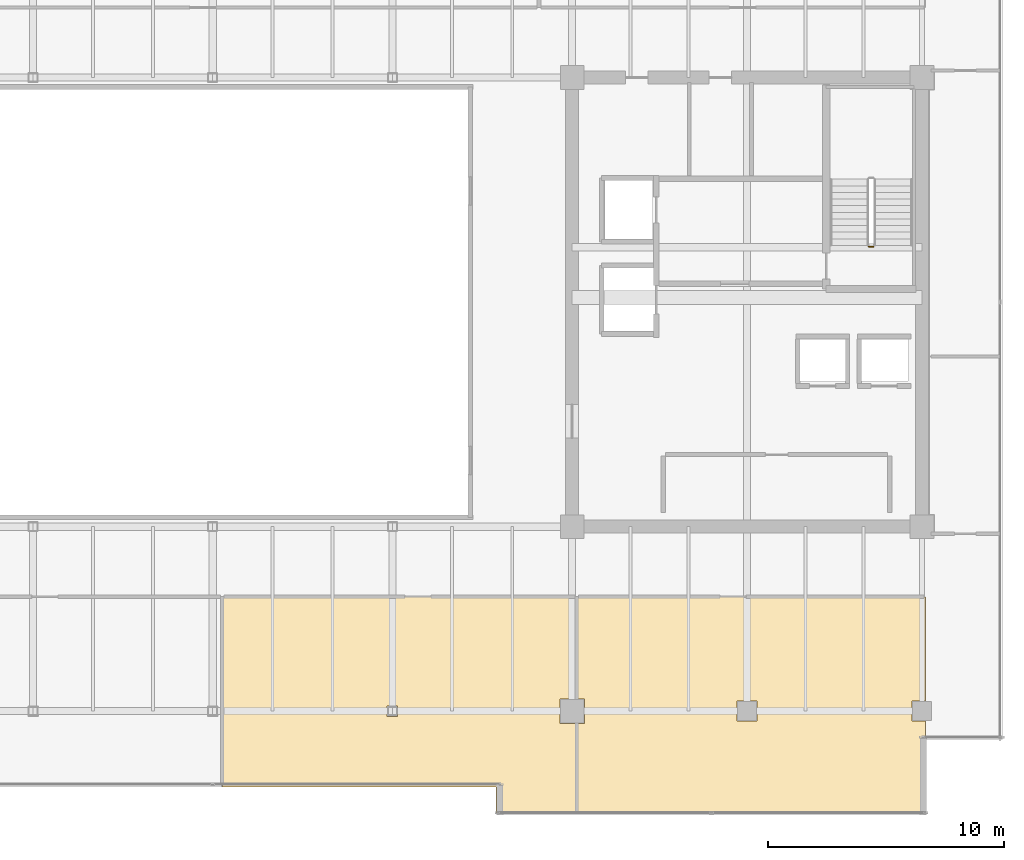
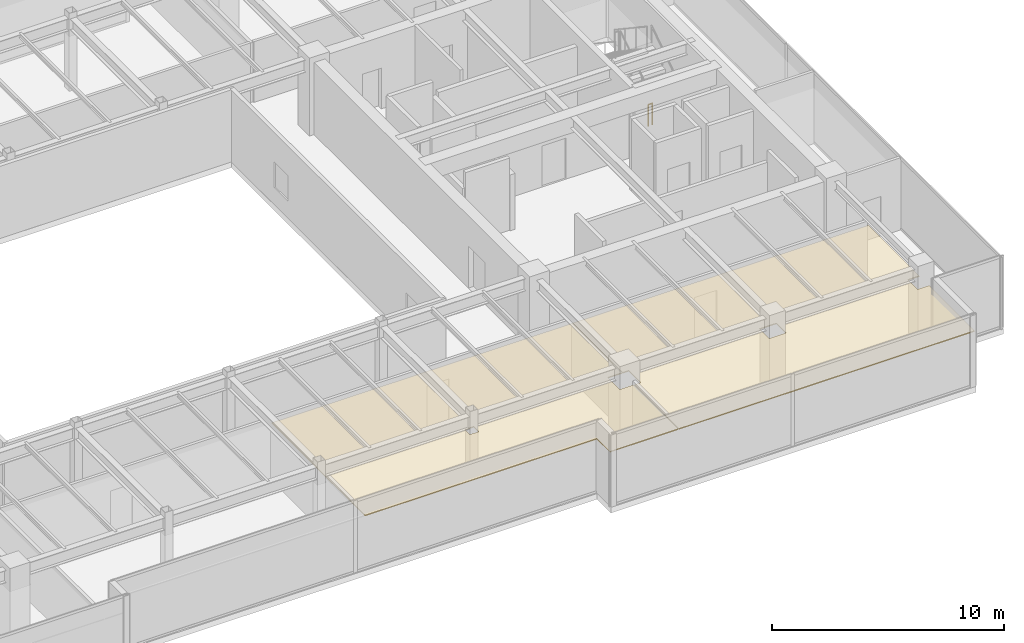
# One storey, part 34 of 36: 2 coverings, 1 railing.
"""IFC4 building model written with IfcOpenShell, lengths in metres."""

from ifc_helpers import new_model, si_unit, direction, frame, origin, origin_2d, place, context, subcontext, project, spatial, polyline, circle, outline, extrude, source, transform, mapped, material, layer, layer_set, type_object, type_shapes, element, save


model = new_model("IFC4")

# Units and contexts
model_context = context("Model", 3, precision=1e-05, world=origin(), true_north=direction((0.0, 1.0)))
body_context = subcontext(model_context, "Body", "Model", "MODEL_VIEW")
ifc_project = project(units=[si_unit("LENGTHUNIT", "METRE"), si_unit("AREAUNIT", "SQUARE_METRE"), si_unit("VOLUMEUNIT", "CUBIC_METRE"), si_unit("PLANEANGLEUNIT", "RADIAN"), si_unit("MASSUNIT", "GRAM", prefix="KILO")], contexts=[model_context])

# Site, building, storey
site_placement = place(None, origin())
site = spatial("IfcSite", under=ifc_project, at=site_placement, CompositionType="ELEMENT")
building_placement = place(site_placement, origin())
building = spatial("IfcBuilding", under=site, at=building_placement, Name="Haelvirn Gate Laboratories", CompositionType="ELEMENT")
storey_placement = place(building_placement, frame((0.0, 0.0, 262.89990234375)))
storey = spatial("IfcBuildingStorey", under=building, at=storey_placement, Name="L63", CompositionType="ELEMENT", Elevation=262.89990234375)

# Coverings
ifc_material_1 = material(Name="Washable cleanroom gasketed aluminium ceiling", Category="aluminium")
ifc_layer = layer(ifc_material_1, 0.050048828125, Name="COV-CEIL-CLN")
ifc_layer_set = layer_set([ifc_layer], Name="Washable cleanroom gasketed aluminium ceiling")
covering_type = type_object("IfcCoveringType", Name="COV-CEIL-CLN", PredefinedType="CEILING", material=ifc_layer_set)
covering_1_placement = place(storey_placement, frame((0.0, 0.0, 2.8701171875)))
element("IfcCovering", 1, at=covering_1_placement, inside=storey, type_object=covering_type, Name="L63 Laboratory Acoustic Ceiling CEIL-SP-L63-S-04", PredefinedType="CEILING", context=body_context, shape_type="SweptSolid", body=[
    extrude(outline(polyline([(37.820068359375, 11.830078125), (52.780029296875, 11.830078125), (52.780029296875, 7.52001953125), (52.080078125, 7.52001953125), (52.080078125, 6.47998046875), (52.780029296875, 6.47998046875), (52.780029296875, 2.64990234375), (49.3798828125, 2.64990234375), (49.3798828125, 3.780029296875), (37.820068359375, 3.780029296875), (37.820068359375, 11.830078125)]), holes=[polyline([(45.219970703125, 7.219970703125), (44.780029296875, 7.219970703125), (44.780029296875, 6.780029296875), (45.219970703125, 6.780029296875), (45.219970703125, 7.219970703125)])]), origin(), (0.0, 0.0, 1.0), 0.050048828125),
])
covering_2_placement = place(storey_placement, frame((0.0, 0.0, 2.8701171875)))
element("IfcCovering", 2, at=covering_2_placement, inside=storey, type_object=covering_type, Name="L63 Laboratory Acoustic Ceiling CEIL-SP-L63-S-05", PredefinedType="CEILING", context=body_context, shape_type="SweptSolid", body=[
    extrude(outline(polyline([(67.550048828125, 7.419921875), (66.97998046875, 7.419921875), (66.97998046875, 6.580078125), (67.550048828125, 6.580078125), (67.550048828125, 2.64990234375), (52.820068359375, 2.64990234375), (52.820068359375, 6.47998046875), (53.1201171875, 6.47998046875), (53.1201171875, 7.52001953125), (52.820068359375, 7.52001953125), (52.820068359375, 11.830078125), (67.550048828125, 11.830078125), (67.550048828125, 7.419921875)]), holes=[polyline([(59.580078125, 7.419921875), (59.580078125, 6.580078125), (60.419921875, 6.580078125), (60.419921875, 7.419921875), (59.580078125, 7.419921875)])]), origin(), (0.0, 0.0, 1.0), 0.050048828125),
])

# Railing
ifc_material_2 = material(Name="Galvanised steel SM355 & stainless top rail", Category="steel")
railing_type = type_object("IfcRailingType", Name="RL-GUARD-1150", PredefinedType="GUARDRAIL", material=ifc_material_2)
shared_shape = source(origin(), body_context, "Body", "SweptSolid", [
    extrude(circle(Radius=0.02392578125, at=origin_2d()), frame((0.0, 0.0, 1.1259765625), z_axis=(-1.0, 0.0, 0.0), x_axis=(0.0, -1.0, 0.0)), (0.0, 0.0, 1.0), 0.2001953125),
    extrude(circle(Radius=0.02099609375, at=origin_2d()), origin(), (0.0, 0.0, 1.0), 1.101806640625),
    extrude(circle(Radius=0.02099609375, at=origin_2d()), frame((-0.2001953125, 0.0, 0.0)), (0.0, 0.0, 1.0), 1.101806640625),
])
type_shapes(railing_type, [shared_shape])
railing_placement = place(storey_placement, frame((65.35009765625, 26.64990234375, 0.0)))
element("IfcRailing", 3, at=railing_placement, inside=storey, type_object=railing_type, Name="L63 ST2 stair guard 4", PredefinedType="GUARDRAIL", context=body_context, shape_type="MappedRepresentation", body=[
    mapped(shared_shape, transform((0.0, 0.0, 0.0), scale=1.0)),
])

save(model, "model.ifc")
